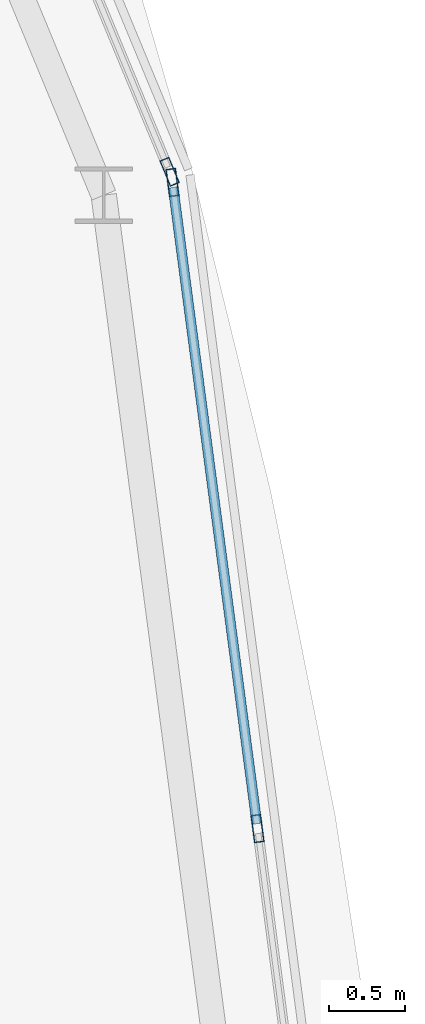
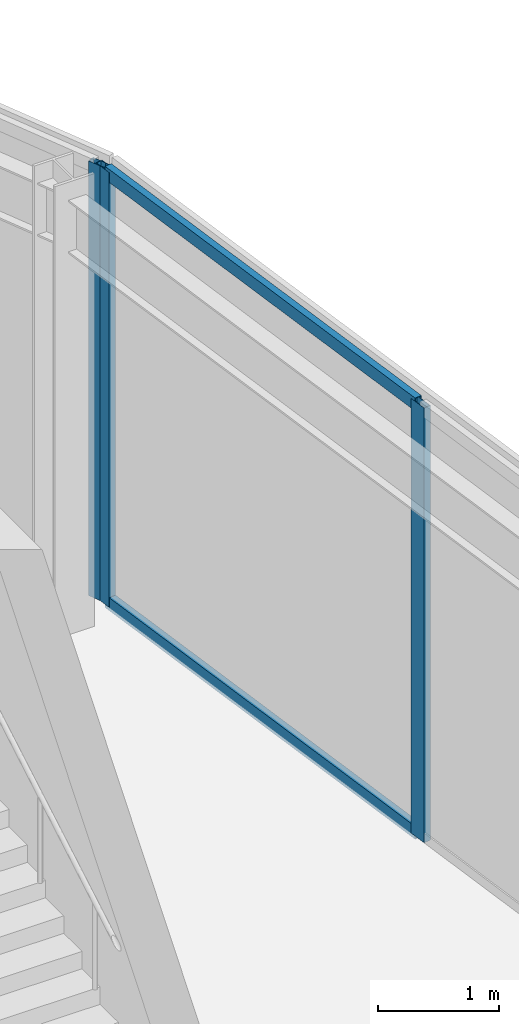
# One storey, part 98 of 157: 5 members, 2 elements without a shape of their own.
"""IFC4 building model written with IfcOpenShell, lengths in metres."""

from ifc_helpers import new_model, si_unit, direction, frame, origin, origin_2d, place, context, subcontext, project, spatial, hollow_rectangle, extrude, material, material_profile, profile_set, type_object, element, aggregate, save


model = new_model("IFC4")

# Units and contexts
model_context = context("Model", 3, precision=1e-05, world=origin(), true_north=direction((0.0, 1.0)))
body_context = subcontext(model_context, "Body", "Model", "MODEL_VIEW")
ifc_project = project(units=[si_unit("LENGTHUNIT", "METRE"), si_unit("AREAUNIT", "SQUARE_METRE"), si_unit("VOLUMEUNIT", "CUBIC_METRE"), si_unit("PLANEANGLEUNIT", "RADIAN"), si_unit("MASSUNIT", "GRAM", prefix="KILO")], contexts=[model_context])

# Site, building, storey
site_placement = place(None, origin())
site = spatial("IfcSite", under=ifc_project, at=site_placement, CompositionType="ELEMENT")
building_placement = place(site_placement, origin())
building = spatial("IfcBuilding", under=site, at=building_placement, Name="Almandine Court Research Institute", CompositionType="ELEMENT")
storey_placement = place(building_placement, frame((0.0, 0.0, 5.25)))
storey = spatial("IfcBuildingStorey", under=building, at=storey_placement, Name="L01", CompositionType="ELEMENT", Elevation=5.25)

# Curtain wall, members
ifc_material_1 = material(Name="Unitised Curtain Wall Framing and Solar Glazing", Category="glass")
curtain_wall_type = type_object("IfcCurtainWallType", Name="CW-CWJ-19", PredefinedType="USERDEFINED", material=ifc_material_1)
curtain_wall_1_placement = place(storey_placement, origin())
curtain_wall_1 = element("IfcCurtainWall", 1, at=curtain_wall_1_placement, inside=storey, type_object=curtain_wall_type, Name="L01 Stacked-Ring Drum Outer Solar Jali Screen 00", ObjectType="SOLAR JALI SCREEN", PredefinedType="USERDEFINED")
ifc_material_2 = material(Name="Anodised Aluminium AW-6063-T6", Category="aluminium")
ifc_material_profile_1 = material_profile(ifc_material_2, hollow_rectangle(XDim=0.06494140625, YDim=0.179931640625, WallThickness=0.00390625, at=origin_2d()), Name="ALU RHS 65x180x4")
ifc_profile_set_1 = profile_set([ifc_material_profile_1], Name="Anodised Aluminium AW-6063-T6")
member_type_1 = type_object("IfcMemberType", Name="CWMul-65x180", PredefinedType="MULLION", material=ifc_profile_set_1)
member_1_placement = place(storey_placement, frame((134.683349609375, 68.73876953125, 0.0), z_axis=(0.0, 0.0, 1.0), x_axis=(0.991442926098, 0.130540891259, 0.0)))
member_1 = element("IfcMember", 2, at=member_1_placement, type_object=member_type_1, Name="CWJ-19 mullion 1", PredefinedType="MULLION", context=body_context, shape_type="SweptSolid", body=[
    extrude(hollow_rectangle(XDim=0.06494140625, YDim=0.179931640625, WallThickness=0.00390625, at=origin_2d()), origin(), (0.0, 0.0, 1.0), 4.3701171875),
])
member_2_placement = place(storey_placement, frame((135.2392578125, 64.515380859375, 0.0), z_axis=(0.0, 0.0, 1.0), x_axis=(0.991442926098, 0.130540891259, 0.0)))
member_2 = element("IfcMember", 3, at=member_2_placement, type_object=member_type_1, Name="CWJ-19 mullion 2", PredefinedType="MULLION", context=body_context, shape_type="SweptSolid", body=[
    extrude(hollow_rectangle(XDim=0.06494140625, YDim=0.179931640625, WallThickness=0.00390625, at=origin_2d()), origin(), (0.0, 0.0, 1.0), 4.3701171875),
])

# Curtain wall, member
curtain_wall_2_placement = place(storey_placement, origin())
curtain_wall_2 = element("IfcCurtainWall", 4, at=curtain_wall_2_placement, inside=storey, type_object=curtain_wall_type, Name="L01 Stacked-Ring Drum Outer Solar Jali Screen 01", ObjectType="SOLAR JALI SCREEN", PredefinedType="USERDEFINED")
member_3_placement = place(storey_placement, frame((134.66455078125, 68.80908203125, 0.0), z_axis=(0.0, 0.0, 1.0), x_axis=(0.923888124321, 0.382662689242, 0.0)))
member_3 = element("IfcMember", 5, at=member_3_placement, type_object=member_type_1, Name="CWJ-19 mullion 4", PredefinedType="MULLION", context=body_context, shape_type="SweptSolid", body=[
    extrude(hollow_rectangle(XDim=0.06494140625, YDim=0.179931640625, WallThickness=0.00390625, at=origin_2d()), origin(), (0.0, 0.0, 1.0), 4.3701171875),
])
aggregate(curtain_wall_2, [member_3])

# Member
ifc_material_profile_2 = material_profile(ifc_material_2, hollow_rectangle(XDim=0.06494140625, YDim=0.1298828125, WallThickness=0.00390625, at=origin_2d()), Name="ALU RHS 65x130x4")
ifc_profile_set_2 = profile_set([ifc_material_profile_2], Name="Anodised Aluminium AW-6063-T6")
member_type_2 = type_object("IfcMemberType", Name="CWTrn-65x130", PredefinedType="NOTDEFINED", material=ifc_profile_set_2)
member_4_placement = place(storey_placement, frame((134.6875, 68.70654296875, 0.032470703125), z_axis=(0.130543337873, -0.991442603955, 0.0), x_axis=(0.991442603955, 0.130543337873, 0.0)))
member_4 = element("IfcMember", 6, at=member_4_placement, type_object=member_type_2, Name="CWJ-19 transom 1.1", ObjectType="TRANSOM", PredefinedType="USERDEFINED", context=body_context, shape_type="SweptSolid", body=[
    extrude(hollow_rectangle(XDim=0.06494140625, YDim=0.1298828125, WallThickness=0.00390625, at=origin_2d()), origin(), (0.0, 0.0, 1.0), 4.19482421875),
])

member_5_placement = place(storey_placement, frame((134.6875, 68.70654296875, 4.33740234375), z_axis=(0.130543337873, -0.991442603955, 0.0), x_axis=(0.991442603955, 0.130543337873, 0.0)))
member_5 = element("IfcMember", 7, at=member_5_placement, type_object=member_type_2, Name="CWJ-19 transom 1.2", ObjectType="TRANSOM", PredefinedType="USERDEFINED", context=body_context, shape_type="SweptSolid", body=[
    extrude(hollow_rectangle(XDim=0.06494140625, YDim=0.1298828125, WallThickness=0.00390625, at=origin_2d()), origin(), (0.0, 0.0, 1.0), 4.19482421875),
])

aggregate(curtain_wall_1, [member_1, member_2, member_4, member_5])

save(model, "model.ifc")
